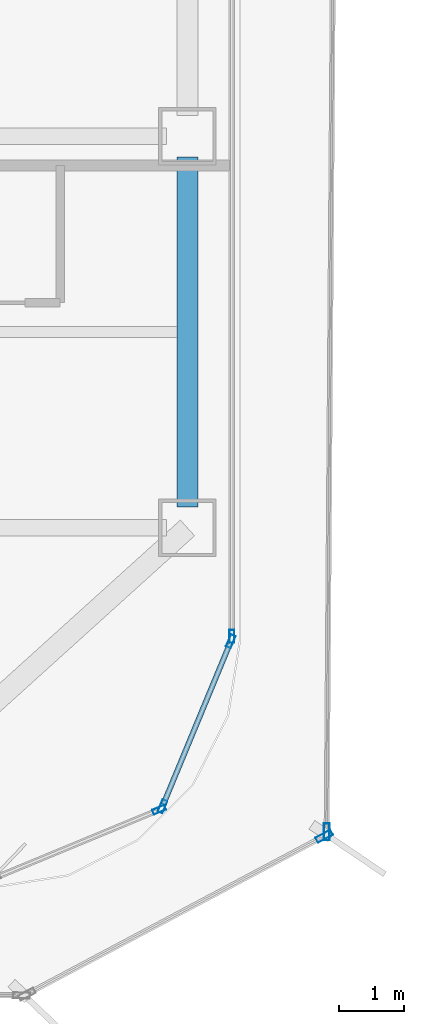
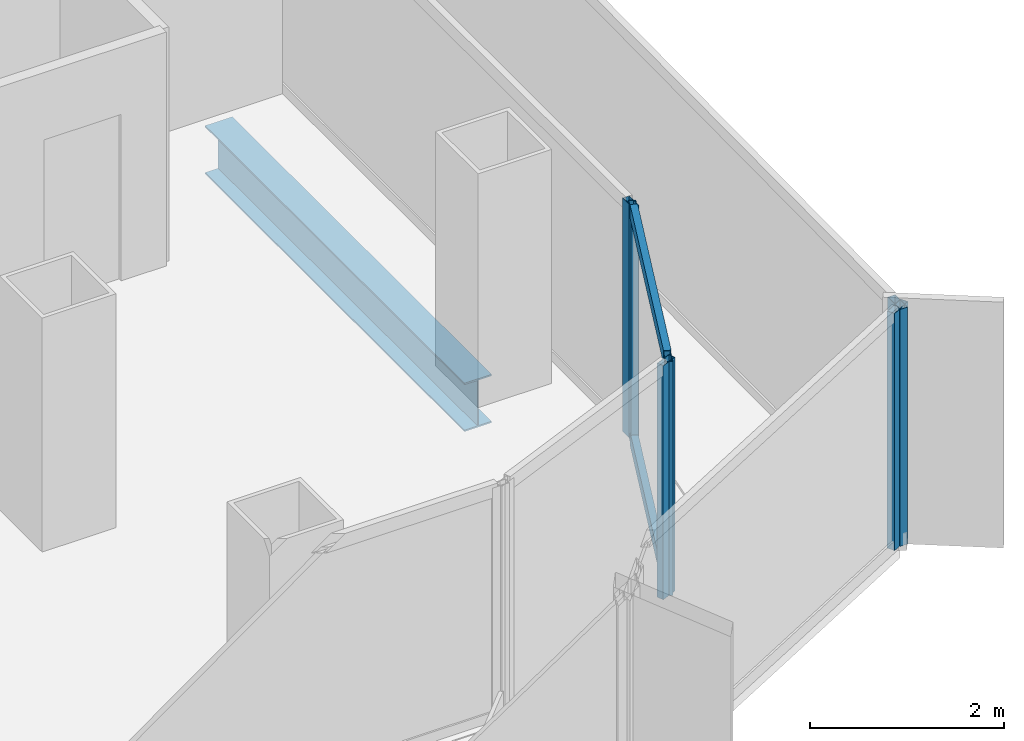
# One storey, part 8 of 21: 8 members, 1 beam, 5 elements without a shape of their own.
"""IFC4 building model written with IfcOpenShell, lengths in metres."""

from ifc_helpers import new_model, si_unit, direction, frame, origin, origin_2d, place, context, subcontext, project, spatial, hollow_rectangle, i_section, extrude, source, transform, mapped, material, layer, layer_set, material_profile, profile_set, type_object, element, aggregate, save


model = new_model("IFC4")

# Units and contexts
model_context = context("Model", 3, precision=1e-05, world=origin(), true_north=direction((0.0, 1.0)))
body_context = subcontext(model_context, "Body", "Model", "MODEL_VIEW")
ifc_project = project(units=[si_unit("LENGTHUNIT", "METRE"), si_unit("AREAUNIT", "SQUARE_METRE"), si_unit("VOLUMEUNIT", "CUBIC_METRE"), si_unit("PLANEANGLEUNIT", "RADIAN"), si_unit("MASSUNIT", "GRAM", prefix="KILO")], contexts=[model_context])

# Site, building, storey
site_placement = place(None, origin())
site = spatial("IfcSite", under=ifc_project, at=site_placement, CompositionType="ELEMENT")
building_placement = place(site_placement, origin())
building = spatial("IfcBuilding", under=site, at=building_placement, Name="Kolveth Station Tower", CompositionType="ELEMENT")
storey_placement = place(building_placement, frame((0.0, 0.0, 127.89990234375)))
storey = spatial("IfcBuildingStorey", under=building, at=storey_placement, Name="L35", CompositionType="ELEMENT", Elevation=127.89990234375)

# Beam
ifc_material_1 = material(Name="Steel S355", Category="steel")
ifc_material_profile_1 = material_profile(ifc_material_1, i_section(OverallWidth=0.323974609375, OverallDepth=0.611083984375, WebThickness=0.0126953125, FlangeThickness=0.01904296875, at=origin_2d()), Name="W610x155")
ifc_profile_set_1 = profile_set([ifc_material_profile_1], Name="Steel S355")
beam_type = type_object("IfcBeamType", Name="Beam_SP2", PredefinedType="SPANDREL", material=ifc_profile_set_1)
shared_shape_1 = source(origin(), body_context, "Body", "SweptSolid", [
    extrude(i_section(OverallWidth=0.323974609375, OverallDepth=0.611083984375, WebThickness=0.0126953125, FlangeThickness=0.01904296875, at=origin_2d()), origin(), (0.0, 0.0, 1.0), 5.35986328125),
])
beam_placement = place(storey_placement, frame((46.199951171875, 5.820068359375, -0.555419921875), z_axis=(0.0, 1.0, 0.0), x_axis=(-1.0, 0.0, 0.0)))
element("IfcBeam", 1, at=beam_placement, inside=storey, type_object=beam_type, Name="L35 Perimeter Spandrel BM-L35-PE-1", PredefinedType="SPANDREL", context=body_context, shape_type="MappedRepresentation", body=[
    mapped(shared_shape_1, transform((0.0, 0.0, 0.0), x_axis=(1.0, 0.0, 0.0), y_axis=(0.0, 1.0, 0.0), z_axis=(0.0, 0.0, 1.0), scale=1.0)),
])

# Curtain wall, members
ifc_material_2 = material(Name="Aluminium 6063-T6 and low-E dark glass", Category="aluminium")
ifc_layer_1 = layer(ifc_material_2, 0.18994140625)
ifc_layer_set_1 = layer_set([ifc_layer_1], Name="Aluminium 6063-T6 and low-E dark glass")
curtain_wall_type_1 = type_object("IfcCurtainWallType", Name="CurtainWall_CW-Z2", PredefinedType="NOTDEFINED", material=ifc_layer_set_1)
curtain_wall_1_placement = place(storey_placement, origin())
curtain_wall_1 = element("IfcCurtainWall", 2, at=curtain_wall_1_placement, inside=storey, type_object=curtain_wall_type_1, Name="L35 Inner Thermal Curtain Wall 2", PredefinedType="NOTDEFINED")
ifc_material_3 = material(Name="Black anodized aluminium 6063-T6", Category="aluminium")
ifc_material_profile_2 = material_profile(ifc_material_3, hollow_rectangle(XDim=0.080078125, YDim=0.169921875, WallThickness=0.0048828125, at=origin_2d()), Name="ALU-80x170x5")
ifc_profile_set_2 = profile_set([ifc_material_profile_2], Name="Black anodized aluminium 6063-T6")
member_type_1 = type_object("IfcMemberType", Name="Transom_TR2", PredefinedType="USERDEFINED", material=ifc_profile_set_2)
shared_shape_2 = source(origin(), body_context, "Body", "SweptSolid", [
    extrude(hollow_rectangle(XDim=0.080078125, YDim=0.169921875, WallThickness=0.0048828125, at=origin_2d()), origin(), (0.0, 0.0, 1.0), 2.656494140625),
])
member_1_placement = place(storey_placement, frame((45.832763671875, 1.271728515625, 0.0400390625), z_axis=(0.382676455475, 0.923882422403, 0.0), x_axis=(-0.923882422403, 0.382676455475, 0.0)))
member_1 = element("IfcMember", 3, at=member_1_placement, type_object=member_type_1, Name="CW-Z2 transom 1.1", ObjectType="TRANSOM", PredefinedType="USERDEFINED", context=body_context, shape_type="MappedRepresentation", body=[
    mapped(shared_shape_2, transform((0.0, 0.0, 0.0), x_axis=(1.0, 0.0, 0.0), y_axis=(0.0, 1.0, 0.0), z_axis=(0.0, 0.0, 1.0), scale=1.0)),
])
member_2_placement = place(storey_placement, frame((45.832763671875, 1.271728515625, 2.91015625), z_axis=(0.382676455475, 0.923882422403, 0.0), x_axis=(-0.923882422403, 0.382676455475, 0.0)))
member_2 = element("IfcMember", 4, at=member_2_placement, type_object=member_type_1, Name="CW-Z2 transom 1.2", ObjectType="TRANSOM", PredefinedType="USERDEFINED", context=body_context, shape_type="MappedRepresentation", body=[
    mapped(shared_shape_2, transform((0.0, 0.0, 0.0), x_axis=(1.0, 0.0, 0.0), y_axis=(0.0, 1.0, 0.0), z_axis=(0.0, 0.0, 1.0), scale=1.0)),
])

# Curtain wall, member
ifc_material_4 = material(Name="Black anodized aluminium 6063-T6 and dark solar glass", Category="aluminium")
ifc_layer_2 = layer(ifc_material_4, 0.159912109375)
ifc_layer_set_2 = layer_set([ifc_layer_2], Name="Black anodized aluminium 6063-T6 and dark solar glass")
curtain_wall_type_2 = type_object("IfcCurtainWallType", Name="OUTER SKIN CW-OS", PredefinedType="NOTDEFINED", material=ifc_layer_set_2)
curtain_wall_2_placement = place(storey_placement, origin())
curtain_wall_2 = element("IfcCurtainWall", 5, at=curtain_wall_2_placement, inside=storey, type_object=curtain_wall_type_2, Name="L35 Outer Ventilated Skin Curtain Wall 1", PredefinedType="NOTDEFINED")
ifc_material_profile_3 = material_profile(ifc_material_3, hollow_rectangle(XDim=0.090087890625, YDim=0.260009765625, WallThickness=0.0048828125, at=origin_2d()), Name="ALU-90x260x5")
ifc_profile_set_3 = profile_set([ifc_material_profile_3], Name="Black anodized aluminium 6063-T6")
member_type_2 = type_object("IfcMemberType", Name="FIN MULLION ML-OS", PredefinedType="MULLION", material=ifc_profile_set_3)
shared_shape_3 = source(origin(), body_context, "Body", "SweptSolid", [
    extrude(hollow_rectangle(XDim=0.090087890625, YDim=0.260009765625, WallThickness=0.0048828125, at=origin_2d()), origin(), (0.0, 0.0, 1.0), 2.989990234375),
])
member_3_placement = place(storey_placement, frame((48.293701171875, 0.77734375, 0.0), z_axis=(0.0, 0.0, 1.0), x_axis=(-0.469319754743, 0.883028293889, 0.0)))
member_3 = element("IfcMember", 6, at=member_3_placement, type_object=member_type_2, Name="CW-OS mullion 2", PredefinedType="MULLION", context=body_context, shape_type="MappedRepresentation", body=[
    mapped(shared_shape_3, transform((0.0, 0.0, 0.0), x_axis=(1.0, 0.0, 0.0), y_axis=(0.0, 1.0, 0.0), z_axis=(0.0, 0.0, 1.0), scale=1.0)),
])
aggregate(curtain_wall_2, [member_3])

curtain_wall_3_placement = place(storey_placement, origin())
curtain_wall_3 = element("IfcCurtainWall", 7, at=curtain_wall_3_placement, inside=storey, type_object=curtain_wall_type_2, Name="L35 Outer Ventilated Skin Curtain Wall 2", PredefinedType="NOTDEFINED")
member_4_placement = place(storey_placement, frame((48.333740234375, 0.843505859375, 0.0), z_axis=(0.0, 0.0, 1.0), x_axis=(-0.999973559022, 0.007271949946, 0.0)))
member_4 = element("IfcMember", 8, at=member_4_placement, type_object=member_type_2, Name="CW-OS mullion 1", PredefinedType="MULLION", context=body_context, shape_type="MappedRepresentation", body=[
    mapped(shared_shape_3, transform((0.0, 0.0, 0.0), x_axis=(1.0, 0.0, 0.0), y_axis=(0.0, 1.0, 0.0), z_axis=(0.0, 0.0, 1.0), scale=1.0)),
])
aggregate(curtain_wall_3, [member_4])

curtain_wall_4_placement = place(storey_placement, origin())
curtain_wall_4 = element("IfcCurtainWall", 9, at=curtain_wall_4_placement, inside=storey, type_object=curtain_wall_type_1, Name="L35 Inner Thermal Curtain Wall 1", PredefinedType="NOTDEFINED")
ifc_material_profile_4 = material_profile(ifc_material_3, hollow_rectangle(XDim=0.080078125, YDim=0.199951171875, WallThickness=0.0048828125, at=origin_2d()), Name="ALU-80x200x5")
ifc_profile_set_4 = profile_set([ifc_material_profile_4], Name="Black anodized aluminium 6063-T6")
member_type_3 = type_object("IfcMemberType", Name="Mullion_ML2", PredefinedType="MULLION", material=ifc_profile_set_4)
shared_shape_4 = source(origin(), body_context, "Body", "SweptSolid", [
    extrude(hollow_rectangle(XDim=0.080078125, YDim=0.199951171875, WallThickness=0.0048828125, at=origin_2d()), origin(), (0.0, 0.0, 1.0), 2.9501953125),
])
member_5_placement = place(storey_placement, frame((45.76513671875, 1.182373046875, 0.0), z_axis=(0.0, 0.0, 1.0), x_axis=(-0.38266326998, 0.923887883787, 0.0)))
member_5 = element("IfcMember", 10, at=member_5_placement, type_object=member_type_3, Name="CW-Z2 mullion 2", PredefinedType="MULLION", context=body_context, shape_type="MappedRepresentation", body=[
    mapped(shared_shape_4, transform((0.0, 0.0, 0.0), x_axis=(1.0, 0.0, 0.0), y_axis=(0.0, 1.0, 0.0), z_axis=(0.0, 0.0, 1.0), scale=1.0)),
])
aggregate(curtain_wall_4, [member_5])

# Member
member_6_placement = place(storey_placement, frame((45.817626953125, 1.23486328125, 0.0), z_axis=(0.0, 0.0, 1.0), x_axis=(-0.923887883787, 0.38266326998, 0.0)))
member_6 = element("IfcMember", 11, at=member_6_placement, type_object=member_type_3, Name="CW-Z2 mullion 1", PredefinedType="MULLION", context=body_context, shape_type="MappedRepresentation", body=[
    mapped(shared_shape_4, transform((0.0, 0.0, 0.0), x_axis=(1.0, 0.0, 0.0), y_axis=(0.0, 1.0, 0.0), z_axis=(0.0, 0.0, 1.0), scale=1.0)),
])

member_7_placement = place(storey_placement, frame((46.86474609375, 3.762939453125, 0.0), z_axis=(0.0, 0.0, 1.0), x_axis=(-0.923887883787, 0.38266326998, 0.0)))
member_7 = element("IfcMember", 12, at=member_7_placement, type_object=member_type_3, Name="CW-Z2 mullion 2", PredefinedType="MULLION", context=body_context, shape_type="MappedRepresentation", body=[
    mapped(shared_shape_4, transform((0.0, 0.0, 0.0), x_axis=(1.0, 0.0, 0.0), y_axis=(0.0, 1.0, 0.0), z_axis=(0.0, 0.0, 1.0), scale=1.0)),
])

aggregate(curtain_wall_1, [member_6, member_7, member_1, member_2])

# Curtain wall, member
curtain_wall_5_placement = place(storey_placement, origin())
curtain_wall_5 = element("IfcCurtainWall", 13, at=curtain_wall_5_placement, inside=storey, type_object=curtain_wall_type_1, Name="L35 Inner Thermal Curtain Wall 3", PredefinedType="NOTDEFINED")
member_8_placement = place(storey_placement, frame((46.8798828125, 3.840087890625, 0.0), z_axis=(0.0, 0.0, 1.0), x_axis=(-1.0, 0.0, 0.0)))
member_8 = element("IfcMember", 14, at=member_8_placement, type_object=member_type_3, Name="CW-Z2 mullion 1", PredefinedType="MULLION", context=body_context, shape_type="MappedRepresentation", body=[
    mapped(shared_shape_4, transform((0.0, 0.0, 0.0), x_axis=(1.0, 0.0, 0.0), y_axis=(0.0, 1.0, 0.0), z_axis=(0.0, 0.0, 1.0), scale=1.0)),
])
aggregate(curtain_wall_5, [member_8])

save(model, "model.ifc")
